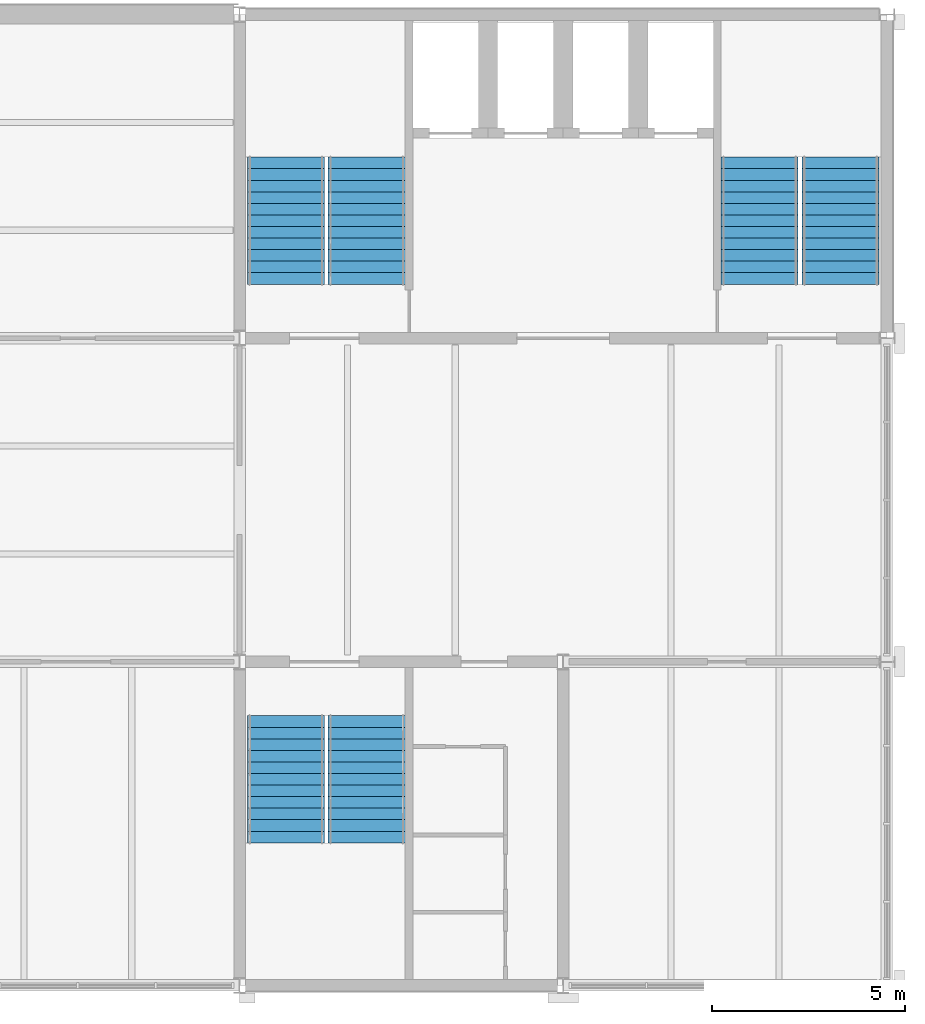
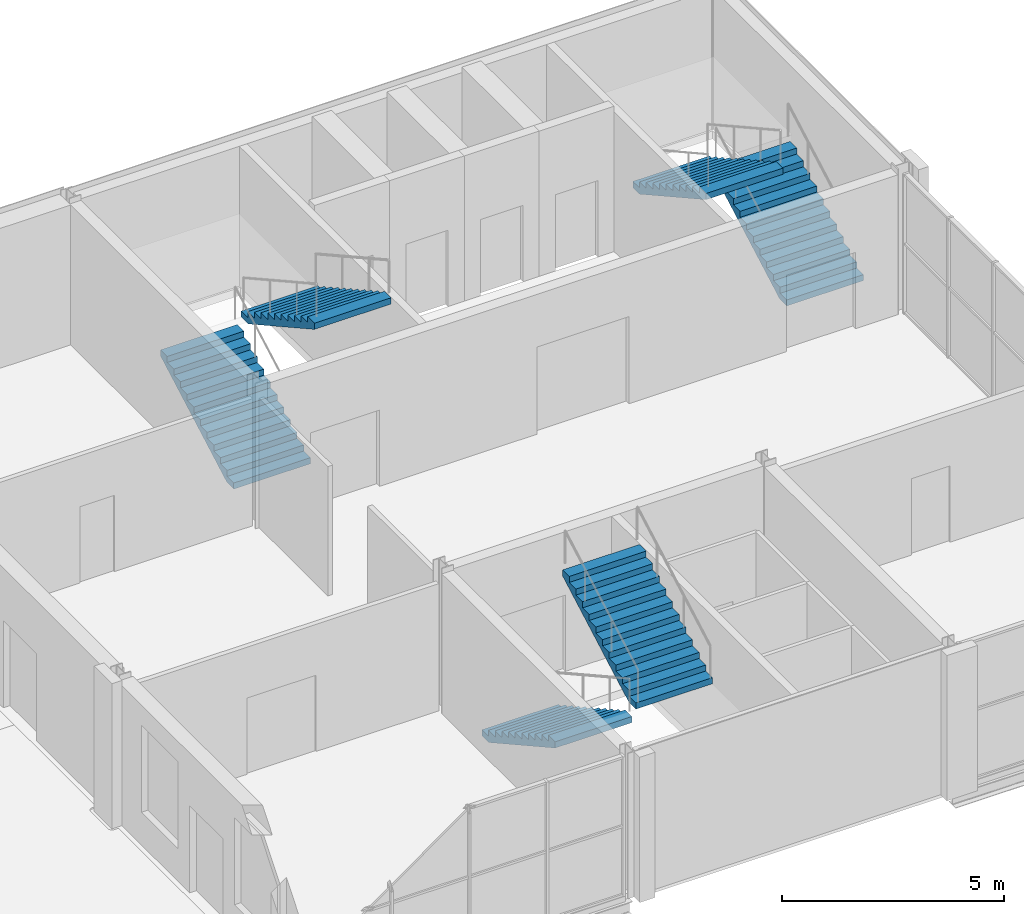
# One storey, part 8 of 9: 6 stair flights, 3 elements without a shape of their own.
"""IFC4 building model written with IfcOpenShell, lengths in metres."""

from ifc_helpers import new_model, si_unit, direction, frame, origin, place, context, subcontext, project, spatial, polyline, outline, extrude, material, type_object, element, aggregate, save


model = new_model("IFC4")

# Units and contexts
model_context = context("Model", 3, precision=1e-05, world=origin(), true_north=direction((0.0, 1.0)))
body_context = subcontext(model_context, "Body", "Model", "MODEL_VIEW")
ifc_project = project(units=[si_unit("LENGTHUNIT", "METRE"), si_unit("AREAUNIT", "SQUARE_METRE"), si_unit("VOLUMEUNIT", "CUBIC_METRE"), si_unit("PLANEANGLEUNIT", "RADIAN"), si_unit("MASSUNIT", "GRAM", prefix="KILO")], contexts=[model_context])

# Site, building, storey
site_placement = place(None, origin())
site = spatial("IfcSite", under=ifc_project, at=site_placement, CompositionType="ELEMENT")
building_placement = place(site_placement, origin())
building = spatial("IfcBuilding", under=site, at=building_placement, Name="Galleria Vessillo Department Store", CompositionType="ELEMENT")
storey_placement = place(building_placement, frame((0.0, 0.0, 47.60009765625)))
storey = spatial("IfcBuildingStorey", under=building, at=storey_placement, Name="L10", CompositionType="ELEMENT", Elevation=47.60009765625)

# Stair, stair flights
ifc_material_1 = material(Name="Concrete C32/40", Category="concrete")
stair_type = type_object("IfcStairType", Name="Half-turn escape stair 2000 mm, 24 risers of 167 mm", PredefinedType="HALF_TURN_STAIR", material=ifc_material_1)
stair_1_placement = place(storey_placement, origin())
stair_1 = element("IfcStair", 1, at=stair_1_placement, inside=storey, type_object=stair_type, Name="Stair ST8 L10", PredefinedType="HALF_TURN_STAIR")
ifc_material_2 = material(Name="Concrete C32/40", Category="concrete")
stair_flight_type = type_object("IfcStairFlightType", Name="Stair flight 2000 mm, 12 risers of 167 mm", PredefinedType="STRAIGHT", material=ifc_material_2)
stair_flight_1_placement = place(storey_placement, frame((102.0, 55.99951171875, 0.0), z_axis=(0.0, 0.0, 1.0), x_axis=(0.0, 1.0, 0.0)))
stair_flight_1 = element("IfcStairFlight", 2, at=stair_flight_1_placement, type_object=stair_flight_type, Name="ST8 flight 1", NumberOfRisers=12, NumberOfTreads=11, PredefinedType="STRAIGHT", RiserHeight=0.166666667, TreadLength=0.3, context=body_context, shape_type="SweptSolid", body=[
    extrude(outline(polyline([(0.0, 0.0), (0.0, 0.166748046875), (0.300048828125, 0.166748046875), (0.300048828125, 0.333251953125), (0.60009765625, 0.333251953125), (0.60009765625, 0.5), (0.89990234375, 0.5), (0.89990234375, 0.666748046875), (1.199951171875, 0.666748046875), (1.199951171875, 0.833251953125), (1.5, 0.833251953125), (1.5, 1.0), (1.800048828125, 1.0), (1.800048828125, 1.166748046875), (2.10009765625, 1.166748046875), (2.10009765625, 1.333251953125), (2.39990234375, 1.333251953125), (2.39990234375, 1.5), (2.699951171875, 1.5), (2.699951171875, 1.666748046875), (3.0, 1.666748046875), (3.0, 1.833251953125), (3.300048828125, 1.833251953125), (3.300048828125, 2.0), (3.300048828125, 1.661865234375), (0.30859375, 0.0), (0.0, 0.0)])), frame((0.0, 1.0, 0.0), z_axis=(0.0, -1.0, 0.0), x_axis=(1.0, 0.0, 0.0)), (0.0, 0.0, 1.0), 2.0),
])
stair_flight_2_placement = place(storey_placement, frame((104.10009765625, 59.299560546875, 2.0), z_axis=(0.0, 0.0, 1.0), x_axis=(0.0, -1.0, 0.0)))
stair_flight_2 = element("IfcStairFlight", 3, at=stair_flight_2_placement, type_object=stair_flight_type, Name="ST8 flight 2", NumberOfRisers=12, NumberOfTreads=11, PredefinedType="STRAIGHT", RiserHeight=0.166666667, TreadLength=0.3, context=body_context, shape_type="SweptSolid", body=[
    extrude(outline(polyline([(0.0, 0.0), (0.0, 0.166748046875), (0.300048828125, 0.166748046875), (0.300048828125, 0.333251953125), (0.60009765625, 0.333251953125), (0.60009765625, 0.5), (0.89990234375, 0.5), (0.89990234375, 0.666748046875), (1.199951171875, 0.666748046875), (1.199951171875, 0.833251953125), (1.5, 0.833251953125), (1.5, 1.0), (1.800048828125, 1.0), (1.800048828125, 1.166748046875), (2.10009765625, 1.166748046875), (2.10009765625, 1.333251953125), (2.39990234375, 1.333251953125), (2.39990234375, 1.5), (2.699951171875, 1.5), (2.699951171875, 1.666748046875), (3.0, 1.666748046875), (3.0, 1.833251953125), (3.300048828125, 1.833251953125), (3.300048828125, 2.0), (3.300048828125, 1.661865234375), (0.30859375, 0.0), (0.0, 0.0)])), frame((0.0, 1.0, 0.0), z_axis=(0.0, -1.0, 0.0), x_axis=(1.0, 0.0, 0.0)), (0.0, 0.0, 1.0), 2.0),
])
aggregate(stair_1, [stair_flight_1, stair_flight_2])

stair_2_placement = place(storey_placement, origin())
stair_2 = element("IfcStair", 4, at=stair_2_placement, inside=storey, type_object=stair_type, Name="Stair ST9 L10", PredefinedType="HALF_TURN_STAIR")
stair_flight_3_placement = place(storey_placement, frame((116.39990234375, 55.99951171875, 0.0), z_axis=(0.0, 0.0, 1.0), x_axis=(0.0, 1.0, 0.0)))
stair_flight_3 = element("IfcStairFlight", 5, at=stair_flight_3_placement, type_object=stair_flight_type, Name="ST9 flight 1", NumberOfRisers=12, NumberOfTreads=11, PredefinedType="STRAIGHT", RiserHeight=0.166666667, TreadLength=0.3, context=body_context, shape_type="SweptSolid", body=[
    extrude(outline(polyline([(0.0, 0.0), (0.0, 0.166748046875), (0.300048828125, 0.166748046875), (0.300048828125, 0.333251953125), (0.60009765625, 0.333251953125), (0.60009765625, 0.5), (0.89990234375, 0.5), (0.89990234375, 0.666748046875), (1.199951171875, 0.666748046875), (1.199951171875, 0.833251953125), (1.5, 0.833251953125), (1.5, 1.0), (1.800048828125, 1.0), (1.800048828125, 1.166748046875), (2.10009765625, 1.166748046875), (2.10009765625, 1.333251953125), (2.39990234375, 1.333251953125), (2.39990234375, 1.5), (2.699951171875, 1.5), (2.699951171875, 1.666748046875), (3.0, 1.666748046875), (3.0, 1.833251953125), (3.300048828125, 1.833251953125), (3.300048828125, 2.0), (3.300048828125, 1.661865234375), (0.30859375, 0.0), (0.0, 0.0)])), frame((0.0, 1.0, 0.0), z_axis=(0.0, -1.0, 0.0), x_axis=(1.0, 0.0, 0.0)), (0.0, 0.0, 1.0), 2.0),
])
stair_flight_4_placement = place(storey_placement, frame((114.300048828125, 59.299560546875, 2.0), z_axis=(0.0, 0.0, 1.0), x_axis=(0.0, -1.0, 0.0)))
stair_flight_4 = element("IfcStairFlight", 6, at=stair_flight_4_placement, type_object=stair_flight_type, Name="ST9 flight 2", NumberOfRisers=12, NumberOfTreads=11, PredefinedType="STRAIGHT", RiserHeight=0.166666667, TreadLength=0.3, context=body_context, shape_type="SweptSolid", body=[
    extrude(outline(polyline([(0.0, 0.0), (0.0, 0.166748046875), (0.300048828125, 0.166748046875), (0.300048828125, 0.333251953125), (0.60009765625, 0.333251953125), (0.60009765625, 0.5), (0.89990234375, 0.5), (0.89990234375, 0.666748046875), (1.199951171875, 0.666748046875), (1.199951171875, 0.833251953125), (1.5, 0.833251953125), (1.5, 1.0), (1.800048828125, 1.0), (1.800048828125, 1.166748046875), (2.10009765625, 1.166748046875), (2.10009765625, 1.333251953125), (2.39990234375, 1.333251953125), (2.39990234375, 1.5), (2.699951171875, 1.5), (2.699951171875, 1.666748046875), (3.0, 1.666748046875), (3.0, 1.833251953125), (3.300048828125, 1.833251953125), (3.300048828125, 2.0), (3.300048828125, 1.661865234375), (0.30859375, 0.0), (0.0, 0.0)])), frame((0.0, 1.0, 0.0), z_axis=(0.0, -1.0, 0.0), x_axis=(1.0, 0.0, 0.0)), (0.0, 0.0, 1.0), 2.0),
])
aggregate(stair_2, [stair_flight_3, stair_flight_4])

stair_3_placement = place(storey_placement, origin())
stair_3 = element("IfcStair", 7, at=stair_3_placement, inside=storey, type_object=stair_type, Name="Stair ST12 L10", PredefinedType="HALF_TURN_STAIR")
stair_flight_5_placement = place(storey_placement, frame((102.0, 44.800537109375, 0.0), z_axis=(0.0, 0.0, 1.0), x_axis=(0.0, -1.0, 0.0)))
stair_flight_5 = element("IfcStairFlight", 8, at=stair_flight_5_placement, type_object=stair_flight_type, Name="ST12 flight 1", NumberOfRisers=12, NumberOfTreads=11, PredefinedType="STRAIGHT", RiserHeight=0.166666667, TreadLength=0.3, context=body_context, shape_type="SweptSolid", body=[
    extrude(outline(polyline([(0.0, 0.0), (0.0, 0.166748046875), (0.300048828125, 0.166748046875), (0.300048828125, 0.333251953125), (0.60009765625, 0.333251953125), (0.60009765625, 0.5), (0.89990234375, 0.5), (0.89990234375, 0.666748046875), (1.199951171875, 0.666748046875), (1.199951171875, 0.833251953125), (1.5, 0.833251953125), (1.5, 1.0), (1.800048828125, 1.0), (1.800048828125, 1.166748046875), (2.10009765625, 1.166748046875), (2.10009765625, 1.333251953125), (2.39990234375, 1.333251953125), (2.39990234375, 1.5), (2.699951171875, 1.5), (2.699951171875, 1.666748046875), (3.0, 1.666748046875), (3.0, 1.833251953125), (3.300048828125, 1.833251953125), (3.300048828125, 2.0), (3.300048828125, 1.661865234375), (0.30859375, 0.0), (0.0, 0.0)])), frame((0.0, 1.0, 0.0), z_axis=(0.0, -1.0, 0.0), x_axis=(1.0, 0.0, 0.0)), (0.0, 0.0, 1.0), 2.0),
])
stair_flight_6_placement = place(storey_placement, frame((104.10009765625, 41.50048828125, 2.0), z_axis=(0.0, 0.0, 1.0), x_axis=(0.0, 1.0, 0.0)))
stair_flight_6 = element("IfcStairFlight", 9, at=stair_flight_6_placement, type_object=stair_flight_type, Name="ST12 flight 2", NumberOfRisers=12, NumberOfTreads=11, PredefinedType="STRAIGHT", RiserHeight=0.166666667, TreadLength=0.3, context=body_context, shape_type="SweptSolid", body=[
    extrude(outline(polyline([(0.0, 0.0), (0.0, 0.166748046875), (0.300048828125, 0.166748046875), (0.300048828125, 0.333251953125), (0.60009765625, 0.333251953125), (0.60009765625, 0.5), (0.89990234375, 0.5), (0.89990234375, 0.666748046875), (1.199951171875, 0.666748046875), (1.199951171875, 0.833251953125), (1.5, 0.833251953125), (1.5, 1.0), (1.800048828125, 1.0), (1.800048828125, 1.166748046875), (2.10009765625, 1.166748046875), (2.10009765625, 1.333251953125), (2.39990234375, 1.333251953125), (2.39990234375, 1.5), (2.699951171875, 1.5), (2.699951171875, 1.666748046875), (3.0, 1.666748046875), (3.0, 1.833251953125), (3.300048828125, 1.833251953125), (3.300048828125, 2.0), (3.300048828125, 1.661865234375), (0.30859375, 0.0), (0.0, 0.0)])), frame((0.0, 1.0, 0.0), z_axis=(0.0, -1.0, 0.0), x_axis=(1.0, 0.0, 0.0)), (0.0, 0.0, 1.0), 2.0),
])
aggregate(stair_3, [stair_flight_5, stair_flight_6])

save(model, "model.ifc")
